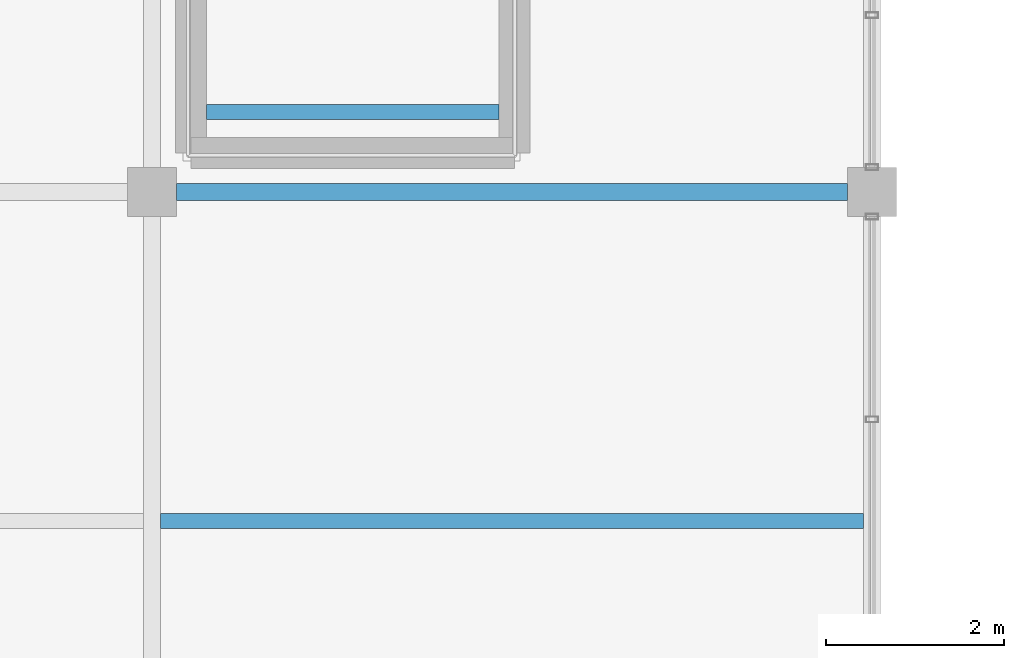
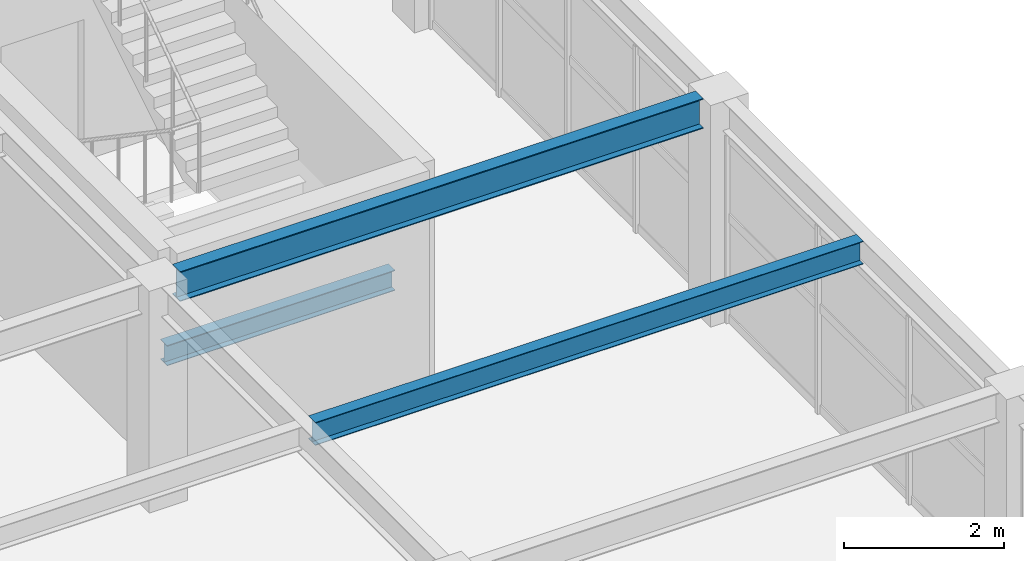
# One storey, part 14 of 93: 3 beams.
"""IFC4 building model written with IfcOpenShell, lengths in metres."""

from ifc_helpers import new_model, si_unit, direction, frame, origin, origin_2d, place, context, subcontext, project, spatial, i_section, extrude, material, material_profile, profile_set, type_object, element, save


model = new_model("IFC4")

# Units and contexts
model_context = context("Model", 3, precision=1e-05, world=origin(), true_north=direction((0.0, 1.0)))
body_context = subcontext(model_context, "Body", "Model", "MODEL_VIEW")
ifc_project = project(units=[si_unit("LENGTHUNIT", "METRE"), si_unit("AREAUNIT", "SQUARE_METRE"), si_unit("VOLUMEUNIT", "CUBIC_METRE"), si_unit("PLANEANGLEUNIT", "RADIAN"), si_unit("MASSUNIT", "GRAM", prefix="KILO")], contexts=[model_context])

# Site, building, storey
site_placement = place(None, origin())
site = spatial("IfcSite", under=ifc_project, at=site_placement, CompositionType="ELEMENT")
building_placement = place(site_placement, origin())
building = spatial("IfcBuilding", under=site, at=building_placement, Name="Cimatlan Art Gallery", CompositionType="ELEMENT")
storey_placement = place(building_placement, frame((0.0, 0.0, 13.800048828125)))
storey = spatial("IfcBuildingStorey", under=building, at=storey_placement, Name="L03", CompositionType="ELEMENT", Elevation=13.800048828125)

# Beams
ifc_material = material(Name="Steel ASTM A992 Grade 50", Category="steel")
ifc_material_profile_1 = material_profile(ifc_material, i_section(OverallWidth=0.1650390625, OverallDepth=0.31005859375, WebThickness=0.005859375, FlangeThickness=0.009765625, at=origin_2d()), Name="W12X26")
ifc_profile_set_1 = profile_set([ifc_material_profile_1], Name="Steel ASTM A992 Grade 50")
beam_type_1 = type_object("IfcBeamType", Name="BM-STL-W12X26", PredefinedType="JOIST", material=ifc_profile_set_1)
beam_1_placement = place(storey_placement, frame((43.114990234375, 54.39990234375, 1.425048828125), z_axis=(1.0, 0.0, 0.0), x_axis=(0.0, 1.0, 0.0)))
element("IfcBeam", 1, at=beam_1_placement, inside=storey, type_object=beam_type_1, Name="BM-STR-C8-L03-LH1", PredefinedType="JOIST", context=body_context, shape_type="SweptSolid", body=[
    extrude(i_section(OverallWidth=0.1650390625, OverallDepth=0.31005859375, WebThickness=0.005859375, FlangeThickness=0.009765625, at=origin_2d()), origin(), (0.0, 0.0, 1.0), 3.2900390625),
])
ifc_material_profile_2 = material_profile(ifc_material, i_section(OverallWidth=0.1708984375, OverallDepth=0.35107421875, WebThickness=0.0068359375, FlangeThickness=0.009765625, at=origin_2d()), Name="W14X30")
ifc_profile_set_2 = profile_set([ifc_material_profile_2], Name="Steel ASTM A992 Grade 50")
beam_type_2 = type_object("IfcBeamType", Name="BM-STL-W14X30", PredefinedType="JOIST", material=ifc_profile_set_2)
beam_2_placement = place(storey_placement, frame((42.595458984375, 49.800048828125, 3.204345703125), z_axis=(1.0, 0.0, 0.0), x_axis=(0.0, 1.0, 0.0)))
element("IfcBeam", 2, at=beam_2_placement, inside=storey, type_object=beam_type_2, Name="JST-L03-05-06", PredefinedType="JOIST", context=body_context, shape_type="SweptSolid", body=[
    extrude(i_section(OverallWidth=0.1708984375, OverallDepth=0.35107421875, WebThickness=0.0068359375, FlangeThickness=0.009765625, at=origin_2d()), origin(), (0.0, 0.0, 1.0), 7.908935546875),
])
ifc_material_profile_3 = material_profile(ifc_material, i_section(OverallWidth=0.19091796875, OverallDepth=0.45703125, WebThickness=0.009033203125, FlangeThickness=0.014404296875, at=origin_2d()), Name="W18X50")
ifc_profile_set_3 = profile_set([ifc_material_profile_3], Name="Steel ASTM A992 Grade 50")
beam_type_3 = type_object("IfcBeamType", Name="BM-STL-W18X50", PredefinedType="BEAM", material=ifc_profile_set_3)
beam_3_placement = place(storey_placement, frame((42.77490234375, 53.5, 3.1513671875), z_axis=(1.0, 0.0, 0.0), x_axis=(0.0, 1.0, 0.0)))
element("IfcBeam", 3, at=beam_3_placement, inside=storey, type_object=beam_type_3, Name="BM-X-L03-05-07", PredefinedType="BEAM", context=body_context, shape_type="SweptSolid", body=[
    extrude(i_section(OverallWidth=0.19091796875, OverallDepth=0.45703125, WebThickness=0.009033203125, FlangeThickness=0.014404296875, at=origin_2d()), origin(), (0.0, 0.0, 1.0), 7.550048828125),
])

save(model, "model.ifc")
